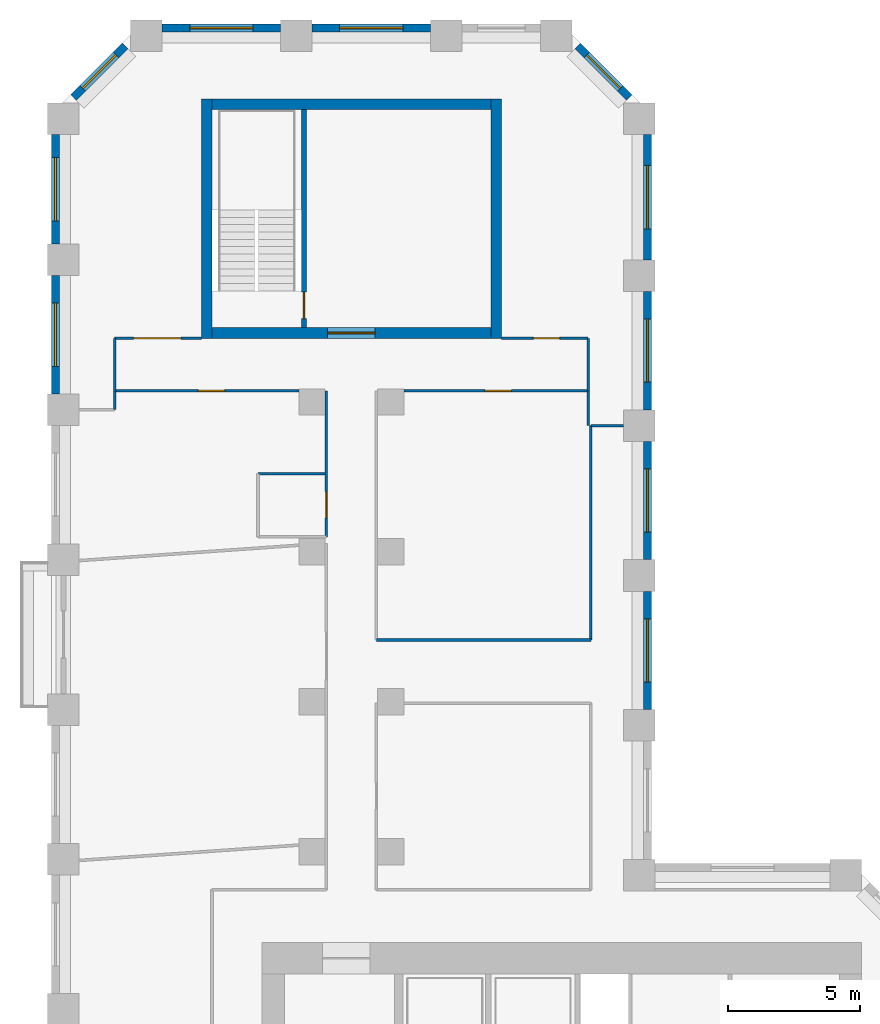
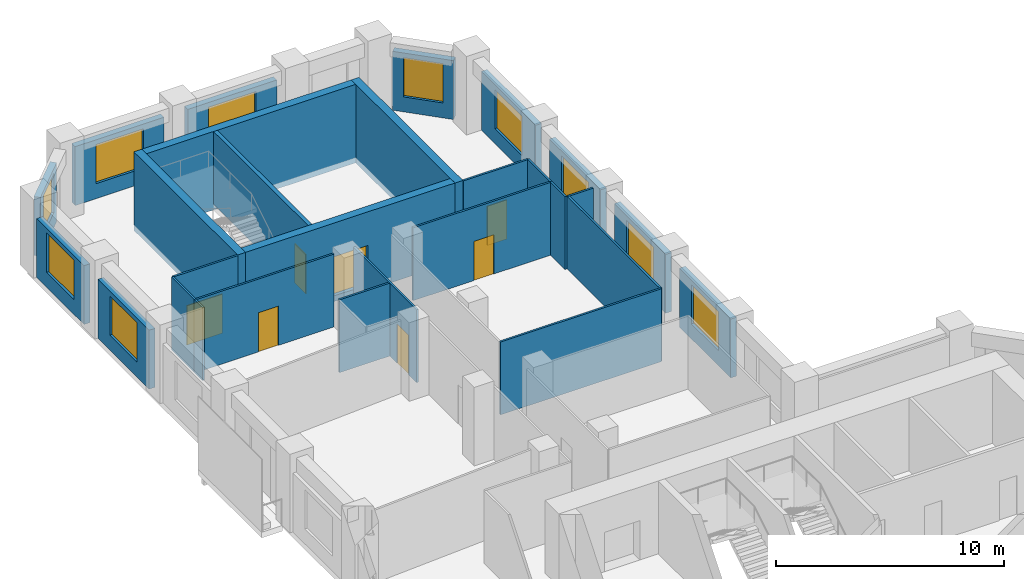
# One storey, part 8 of 10: 28 walls, 10 windows, 7 doors, 17 openings.
"""IFC4 building model written with IfcOpenShell, lengths in metres."""

from ifc_helpers import new_model, si_unit, direction, frame, frame_2d, origin, place, context, subcontext, project, spatial, rectangle, extrude, material, layer, layer_set, type_object, element, fill, save


model = new_model("IFC4")

# Units and contexts
model_context = context("Model", 3, precision=1e-05, world=origin(), true_north=direction((0.0, 1.0)))
body_context = subcontext(model_context, "Body", "Model", "MODEL_VIEW")
ifc_project = project(units=[si_unit("LENGTHUNIT", "METRE"), si_unit("AREAUNIT", "SQUARE_METRE"), si_unit("VOLUMEUNIT", "CUBIC_METRE"), si_unit("PLANEANGLEUNIT", "RADIAN"), si_unit("MASSUNIT", "GRAM", prefix="KILO")], contexts=[model_context])

# Site, building, storey
site_placement = place(None, origin())
site = spatial("IfcSite", under=ifc_project, at=site_placement, CompositionType="ELEMENT")
building_placement = place(site_placement, origin())
building = spatial("IfcBuilding", under=site, at=building_placement, Name="Meshkara Civic Tower", CompositionType="ELEMENT")
storey_placement = place(building_placement, frame((0.0, 0.0, 165.60009765625)))
storey = spatial("IfcBuildingStorey", under=building, at=storey_placement, Name="L37", CompositionType="ELEMENT", Elevation=165.60009765625)

# Wall, opening, door
ifc_material_1 = material(Name="Corridor wall 100")
ifc_layer_1 = layer(ifc_material_1, 0.10009765625)
ifc_layer_set_1 = layer_set([ifc_layer_1], Name="Corridor wall 100")
wall_type_1 = type_object("IfcWallType", Name="Corridor wall 100", PredefinedType="PARTITIONING", material=ifc_layer_set_1)
wall_1_placement = place(storey_placement, frame((2.39990234375, 57.8701171875, 0.0), z_axis=(0.0, 0.0, 1.0), x_axis=(1.0, 0.0, 0.0)))
wall_1 = element("IfcWall", 1, at=wall_1_placement, inside=storey, type_object=wall_type_1, Name="L37-W001", PredefinedType="PARTITIONING", context=body_context, shape_type="SweptSolid", body=[
    extrude(rectangle(XDim=7.0, YDim=0.10009765625, at=frame_2d((3.5, 0.0))), origin(), (0.0, 0.0, 1.0), 3.89990234375),
])
opening_1_placement = place(wall_1_placement, frame((3.179931640625, 0.0, 0.0)))
opening_1 = element("IfcOpeningElement", 2, at=opening_1_placement, cuts=wall_1, Name="Opening L37-D021", PredefinedType="OPENING", context=body_context, shape_type="SweptSolid", body=[
    extrude(rectangle(XDim=1.0, YDim=2.10009765625, at=frame_2d((0.5, 1.050048828125))), frame((0.0, 0.06005859375, 0.0), z_axis=(0.0, -1.0, 0.0), x_axis=(1.0, 0.0, 0.0)), (0.0, 0.0, 1.0), 0.1201171875),
])
ifc_material_2 = material(Name="Door 1000 x 2100")
door_type_1 = type_object("IfcDoorType", Name="Door 1000 x 2100", OperationType="SINGLE_SWING_LEFT", PredefinedType="DOOR", material=ifc_material_2)
door_1_placement = place(opening_1_placement, origin())
door_1 = element("IfcDoor", 3, at=door_1_placement, inside=storey, type_object=door_type_1, Name="L37-D021", OperationType="SINGLE_SWING_LEFT", OverallHeight=2.10009765625, OverallWidth=1.0, PredefinedType="DOOR", context=body_context, shape_type="SweptSolid", body=[
    extrude(rectangle(XDim=1.0, YDim=2.10009765625, at=frame_2d((0.5, 1.050048828125))), frame((0.0, 0.02490234375, 0.0), z_axis=(0.0, -1.0, 0.0), x_axis=(1.0, 0.0, 0.0)), (0.0, 0.0, 1.0), 0.050048828125),
])
fill(opening_1, door_1)

# Wall
wall_2_placement = place(storey_placement, frame((2.39990234375, 59.8701171875, 0.0), z_axis=(0.0, 0.0, 1.0), x_axis=(0.0, -1.0, 0.0)))
element("IfcWall", 4, at=wall_2_placement, inside=storey, type_object=wall_type_1, Name="L37-W002", PredefinedType="PARTITIONING", context=body_context, shape_type="SweptSolid", body=[
    extrude(rectangle(XDim=2.0, YDim=0.10009765625, at=frame_2d((1.0, 0.0))), origin(), (0.0, 0.0, 1.0), 3.89990234375),
])

# Wall, opening, door
wall_3_placement = place(storey_placement, frame((5.699951171875, 59.8701171875, 0.0), z_axis=(0.0, 0.0, 1.0), x_axis=(-1.0, 0.0, 0.0)))
wall_3 = element("IfcWall", 5, at=wall_3_placement, inside=storey, type_object=wall_type_1, Name="L37-W003", PredefinedType="PARTITIONING", context=body_context, shape_type="SweptSolid", body=[
    extrude(rectangle(XDim=3.300048828125, YDim=0.10009765625, at=frame_2d((1.64990234375, 0.0))), origin(), (0.0, 0.0, 1.0), 3.89990234375),
])
opening_2_placement = place(wall_3_placement, frame((0.780029296875, 0.0, 0.0)))
opening_2 = element("IfcOpeningElement", 6, at=opening_2_placement, cuts=wall_3, Name="Opening L37-D020", PredefinedType="OPENING", context=body_context, shape_type="SweptSolid", body=[
    extrude(rectangle(XDim=1.800048828125, YDim=2.10009765625, at=frame_2d((0.89990234375, 1.050048828125))), frame((0.0, 0.06005859375, 0.0), z_axis=(0.0, -1.0, 0.0), x_axis=(1.0, 0.0, 0.0)), (0.0, 0.0, 1.0), 0.1201171875),
])
ifc_material_3 = material(Name="Door pair 1800 x 2100")
door_type_2 = type_object("IfcDoorType", Name="Door pair 1800 x 2100", OperationType="SINGLE_SWING_LEFT", PredefinedType="DOOR", material=ifc_material_3)
door_2_placement = place(opening_2_placement, origin())
door_2 = element("IfcDoor", 7, at=door_2_placement, inside=storey, type_object=door_type_2, Name="L37-D020", OperationType="DOUBLE_DOOR_SINGLE_SWING", OverallHeight=2.10009765625, OverallWidth=1.800048828125, PredefinedType="DOOR", context=body_context, shape_type="SweptSolid", body=[
    extrude(rectangle(XDim=1.800048828125, YDim=2.10009765625, at=frame_2d((0.89990234375, 1.050048828125))), frame((0.0, 0.02490234375, 0.0), z_axis=(0.0, -1.0, 0.0), x_axis=(1.0, 0.0, 0.0)), (0.0, 0.0, 1.0), 0.050048828125),
])
fill(opening_2, door_2)

wall_4_placement = place(storey_placement, frame((10.449951171875, 57.8701171875, 0.0), z_axis=(0.0, 0.0, 1.0), x_axis=(0.0, -1.0, 0.0)))
wall_4 = element("IfcWall", 8, at=wall_4_placement, inside=storey, type_object=wall_type_1, Name="L37-W013", PredefinedType="PARTITIONING", context=body_context, shape_type="SweptSolid", body=[
    extrude(rectangle(XDim=5.550048828125, YDim=0.10009765625, at=frame_2d((2.77490234375, 0.0))), origin(), (0.0, 0.0, 1.0), 3.89990234375),
])
opening_3_placement = place(wall_4_placement, frame((3.830078125, 0.0, 0.0)))
opening_3 = element("IfcOpeningElement", 9, at=opening_3_placement, cuts=wall_4, Name="Opening L37-D019", PredefinedType="OPENING", context=body_context, shape_type="SweptSolid", body=[
    extrude(rectangle(XDim=1.0, YDim=2.10009765625, at=frame_2d((0.5, 1.050048828125))), frame((0.0, 0.06005859375, 0.0), z_axis=(0.0, -1.0, 0.0), x_axis=(1.0, 0.0, 0.0)), (0.0, 0.0, 1.0), 0.1201171875),
])
door_3_placement = place(opening_3_placement, origin())
door_3 = element("IfcDoor", 10, at=door_3_placement, inside=storey, type_object=door_type_1, Name="L37-D019", OperationType="SINGLE_SWING_RIGHT", OverallHeight=2.10009765625, OverallWidth=1.0, PredefinedType="DOOR", context=body_context, shape_type="SweptSolid", body=[
    extrude(rectangle(XDim=1.0, YDim=2.10009765625, at=frame_2d((0.5, 1.050048828125))), frame((0.0, 0.02490234375, 0.0), z_axis=(0.0, -1.0, 0.0), x_axis=(1.0, 0.0, 0.0)), (0.0, 0.0, 1.0), 0.050048828125),
])
fill(opening_3, door_3)

wall_5_placement = place(storey_placement, frame((13.39990234375, 57.8701171875, 0.0), z_axis=(0.0, 0.0, 1.0), x_axis=(1.0, 0.0, 0.0)))
wall_5 = element("IfcWall", 11, at=wall_5_placement, inside=storey, type_object=wall_type_1, Name="L37-W018", PredefinedType="PARTITIONING", context=body_context, shape_type="SweptSolid", body=[
    extrude(rectangle(XDim=7.0, YDim=0.10009765625, at=frame_2d((3.5, 0.0))), origin(), (0.0, 0.0, 1.0), 3.89990234375),
])
opening_4_placement = place(wall_5_placement, frame((3.080078125, 0.0, 0.0)))
opening_4 = element("IfcOpeningElement", 12, at=opening_4_placement, cuts=wall_5, Name="Opening L37-D022", PredefinedType="OPENING", context=body_context, shape_type="SweptSolid", body=[
    extrude(rectangle(XDim=1.0, YDim=2.10009765625, at=frame_2d((0.5, 1.050048828125))), frame((0.0, 0.06005859375, 0.0), z_axis=(0.0, -1.0, 0.0), x_axis=(1.0, 0.0, 0.0)), (0.0, 0.0, 1.0), 0.1201171875),
])
door_4_placement = place(opening_4_placement, origin())
door_4 = element("IfcDoor", 13, at=door_4_placement, inside=storey, type_object=door_type_1, Name="L37-D022", OperationType="SINGLE_SWING_LEFT", OverallHeight=2.10009765625, OverallWidth=1.0, PredefinedType="DOOR", context=body_context, shape_type="SweptSolid", body=[
    extrude(rectangle(XDim=1.0, YDim=2.10009765625, at=frame_2d((0.5, 1.050048828125))), frame((0.0, 0.02490234375, 0.0), z_axis=(0.0, -1.0, 0.0), x_axis=(1.0, 0.0, 0.0)), (0.0, 0.0, 1.0), 0.050048828125),
])
fill(opening_4, door_4)

# Wall
wall_6_placement = place(storey_placement, frame((20.39990234375, 57.8701171875, 0.0), z_axis=(0.0, 0.0, 1.0), x_axis=(0.0, 1.0, 0.0)))
element("IfcWall", 14, at=wall_6_placement, inside=storey, type_object=wall_type_1, Name="L37-W019", PredefinedType="PARTITIONING", context=body_context, shape_type="SweptSolid", body=[
    extrude(rectangle(XDim=2.0, YDim=0.10009765625, at=frame_2d((1.0, 0.0))), origin(), (0.0, 0.0, 1.0), 3.89990234375),
])

# Wall, opening, door
wall_7_placement = place(storey_placement, frame((20.39990234375, 59.8701171875, 0.0), z_axis=(0.0, 0.0, 1.0), x_axis=(-1.0, 0.0, 0.0)))
wall_7 = element("IfcWall", 15, at=wall_7_placement, inside=storey, type_object=wall_type_1, Name="L37-W020", PredefinedType="PARTITIONING", context=body_context, shape_type="SweptSolid", body=[
    extrude(rectangle(XDim=3.2998046875, YDim=0.10009765625, at=frame_2d((1.64990234375, 0.0))), origin(), (0.0, 0.0, 1.0), 3.89990234375),
])
opening_5_placement = place(wall_7_placement, frame((1.080078125, 0.0, 0.0)))
opening_5 = element("IfcOpeningElement", 16, at=opening_5_placement, cuts=wall_7, Name="Opening L37-D023", PredefinedType="OPENING", context=body_context, shape_type="SweptSolid", body=[
    extrude(rectangle(XDim=1.0, YDim=2.10009765625, at=frame_2d((0.5, 1.050048828125))), frame((0.0, 0.06005859375, 0.0), z_axis=(0.0, -1.0, 0.0), x_axis=(1.0, 0.0, 0.0)), (0.0, 0.0, 1.0), 0.1201171875),
])
door_5_placement = place(opening_5_placement, origin())
door_5 = element("IfcDoor", 17, at=door_5_placement, inside=storey, type_object=door_type_1, Name="L37-D023", OperationType="SINGLE_SWING_RIGHT", OverallHeight=2.10009765625, OverallWidth=1.0, PredefinedType="DOOR", context=body_context, shape_type="SweptSolid", body=[
    extrude(rectangle(XDim=1.0, YDim=2.10009765625, at=frame_2d((0.5, 1.050048828125))), frame((0.0, 0.02490234375, 0.0), z_axis=(0.0, -1.0, 0.0), x_axis=(1.0, 0.0, 0.0)), (0.0, 0.0, 1.0), 0.050048828125),
])
fill(opening_5, door_5)

# Walls
wall_8_placement = place(storey_placement, frame((20.5, 48.39990234375, 0.0), z_axis=(0.0, 0.0, 1.0), x_axis=(-1.0, 0.0, 0.0)))
element("IfcWall", 18, at=wall_8_placement, inside=storey, type_object=wall_type_1, Name="L37-W023", PredefinedType="PARTITIONING", context=body_context, shape_type="SweptSolid", body=[
    extrude(rectangle(XDim=8.14990234375, YDim=0.10009765625, at=frame_2d((4.074951171875, 0.0))), origin(), (0.0, 0.0, 1.0), 3.89990234375),
])
wall_9_placement = place(storey_placement, frame((20.5, 56.550048828125, 0.0), z_axis=(0.0, 0.0, 1.0), x_axis=(0.0, -1.0, 0.0)))
element("IfcWall", 19, at=wall_9_placement, inside=storey, type_object=wall_type_1, Name="L37-W024", PredefinedType="PARTITIONING", context=body_context, shape_type="SweptSolid", body=[
    extrude(rectangle(XDim=8.150146484375, YDim=0.10009765625, at=frame_2d((4.0751953125, 0.0))), origin(), (0.0, 0.0, 1.0), 3.89990234375),
])
wall_10_placement = place(storey_placement, frame((21.75, 56.550048828125, 0.0), z_axis=(0.0, 0.0, 1.0), x_axis=(-1.0, 0.0, 0.0)))
element("IfcWall", 20, at=wall_10_placement, inside=storey, type_object=wall_type_1, Name="L37-W025", PredefinedType="PARTITIONING", context=body_context, shape_type="SweptSolid", body=[
    extrude(rectangle(XDim=1.25, YDim=0.10009765625, at=frame_2d((0.625, 0.0))), origin(), (0.0, 0.0, 1.0), 3.89990234375),
])

# Wall, opening, window
ifc_material_4 = material(Name="Insulated infill panel with bronze anodised aluminium cladding", Category="aluminium")
ifc_layer_2 = layer(ifc_material_4, 0.300048828125)
ifc_layer_set_2 = layer_set([ifc_layer_2], Name="EXTERNAL INFILL WALL 300")
wall_type_2 = type_object("IfcWallType", Name="EXTERNAL INFILL WALL 300", PredefinedType="SOLIDWALL", material=ifc_layer_set_2)
wall_11_placement = place(storey_placement, frame((22.64990234375, 45.75, 0.0), z_axis=(0.0, 0.0, 1.0), x_axis=(0.0, 1.0, 0.0)))
wall_11 = element("IfcWall", 21, at=wall_11_placement, inside=storey, type_object=wall_type_2, Name="External wall", PredefinedType="SOLIDWALL", context=body_context, shape_type="SweptSolid", body=[
    extrude(rectangle(XDim=4.5, YDim=0.300048828125, at=frame_2d((2.25, 0.0))), origin(), (0.0, 0.0, 1.0), 3.14990234375),
])
opening_6_placement = place(wall_11_placement, frame((1.050048828125, 0.0, 0.800048828125)))
opening_6 = element("IfcOpeningElement", 22, at=opening_6_placement, cuts=wall_11, Name="Opening W7", PredefinedType="OPENING", context=body_context, shape_type="SweptSolid", body=[
    extrude(rectangle(XDim=2.39990234375, YDim=2.10009765625, at=frame_2d((1.199951171875, 1.050048828125))), frame((0.0, 0.159912109375, 0.0), z_axis=(0.0, -1.0, 0.0), x_axis=(1.0, 0.0, 0.0)), (0.0, 0.0, 1.0), 0.320068359375),
])
ifc_material_5 = material(Name="Tinted double glazing", Category="glass")
window_type_1 = type_object("IfcWindowType", Name="WINDOW 2400x2100", PartitioningType="DOUBLE_PANEL_VERTICAL", PredefinedType="WINDOW", material=ifc_material_5)
window_1_placement = place(opening_6_placement, origin())
window_1 = element("IfcWindow", 23, at=window_1_placement, inside=storey, type_object=window_type_1, Name="Window", OverallHeight=2.10009765625, OverallWidth=2.39990234375, PartitioningType="DOUBLE_PANEL_VERTICAL", PredefinedType="WINDOW", context=body_context, shape_type="SweptSolid", body=[
    extrude(rectangle(XDim=2.39990234375, YDim=2.10009765625, at=frame_2d((1.199951171875, 1.050048828125))), frame((0.0, 0.030029296875, 0.0), z_axis=(0.0, -1.0, 0.0), x_axis=(1.0, 0.0, 0.0)), (0.0, 0.0, 1.0), 0.06005859375),
])
fill(opening_6, window_1)

wall_12_placement = place(storey_placement, frame((22.64990234375, 51.449951171875, 0.0), z_axis=(0.0, 0.0, 1.0), x_axis=(0.0, 1.0, 0.0)))
wall_12 = element("IfcWall", 24, at=wall_12_placement, inside=storey, type_object=wall_type_2, Name="External wall", PredefinedType="SOLIDWALL", context=body_context, shape_type="SweptSolid", body=[
    extrude(rectangle(XDim=4.5, YDim=0.300048828125, at=frame_2d((2.25, 0.0))), origin(), (0.0, 0.0, 1.0), 3.14990234375),
])
opening_7_placement = place(wall_12_placement, frame((1.050048828125, 0.0, 0.800048828125)))
opening_7 = element("IfcOpeningElement", 25, at=opening_7_placement, cuts=wall_12, Name="Opening W7", PredefinedType="OPENING", context=body_context, shape_type="SweptSolid", body=[
    extrude(rectangle(XDim=2.39990234375, YDim=2.10009765625, at=frame_2d((1.199951171875, 1.050048828125))), frame((0.0, 0.159912109375, 0.0), z_axis=(0.0, -1.0, 0.0), x_axis=(1.0, 0.0, 0.0)), (0.0, 0.0, 1.0), 0.320068359375),
])
window_2_placement = place(opening_7_placement, origin())
window_2 = element("IfcWindow", 26, at=window_2_placement, inside=storey, type_object=window_type_1, Name="Window", OverallHeight=2.10009765625, OverallWidth=2.39990234375, PartitioningType="DOUBLE_PANEL_VERTICAL", PredefinedType="WINDOW", context=body_context, shape_type="SweptSolid", body=[
    extrude(rectangle(XDim=2.39990234375, YDim=2.10009765625, at=frame_2d((1.199951171875, 1.050048828125))), frame((0.0, 0.030029296875, 0.0), z_axis=(0.0, -1.0, 0.0), x_axis=(1.0, 0.0, 0.0)), (0.0, 0.0, 1.0), 0.06005859375),
])
fill(opening_7, window_2)

wall_13_placement = place(storey_placement, frame((22.64990234375, 57.14990234375, 0.0), z_axis=(0.0, 0.0, 1.0), x_axis=(0.0, 1.0, 0.0)))
wall_13 = element("IfcWall", 27, at=wall_13_placement, inside=storey, type_object=wall_type_2, Name="External wall", PredefinedType="SOLIDWALL", context=body_context, shape_type="SweptSolid", body=[
    extrude(rectangle(XDim=4.5, YDim=0.300048828125, at=frame_2d((2.25, 0.0))), origin(), (0.0, 0.0, 1.0), 3.14990234375),
])
opening_8_placement = place(wall_13_placement, frame((1.050048828125, 0.0, 0.800048828125)))
opening_8 = element("IfcOpeningElement", 28, at=opening_8_placement, cuts=wall_13, Name="Opening W7", PredefinedType="OPENING", context=body_context, shape_type="SweptSolid", body=[
    extrude(rectangle(XDim=2.39990234375, YDim=2.10009765625, at=frame_2d((1.199951171875, 1.050048828125))), frame((0.0, 0.159912109375, 0.0), z_axis=(0.0, -1.0, 0.0), x_axis=(1.0, 0.0, 0.0)), (0.0, 0.0, 1.0), 0.320068359375),
])
window_3_placement = place(opening_8_placement, origin())
window_3 = element("IfcWindow", 29, at=window_3_placement, inside=storey, type_object=window_type_1, Name="Window", OverallHeight=2.10009765625, OverallWidth=2.39990234375, PartitioningType="DOUBLE_PANEL_VERTICAL", PredefinedType="WINDOW", context=body_context, shape_type="SweptSolid", body=[
    extrude(rectangle(XDim=2.39990234375, YDim=2.10009765625, at=frame_2d((1.199951171875, 1.050048828125))), frame((0.0, 0.030029296875, 0.0), z_axis=(0.0, -1.0, 0.0), x_axis=(1.0, 0.0, 0.0)), (0.0, 0.0, 1.0), 0.06005859375),
])
fill(opening_8, window_3)

wall_14_placement = place(storey_placement, frame((22.64990234375, 62.85009765625, 0.0), z_axis=(0.0, 0.0, 1.0), x_axis=(0.0, 1.0, 0.0)))
wall_14 = element("IfcWall", 30, at=wall_14_placement, inside=storey, type_object=wall_type_2, Name="External wall", PredefinedType="SOLIDWALL", context=body_context, shape_type="SweptSolid", body=[
    extrude(rectangle(XDim=4.763916015625, YDim=0.300048828125, at=frame_2d((2.3818359375, 0.0))), origin(), (0.0, 0.0, 1.0), 3.14990234375),
])
opening_9_placement = place(wall_14_placement, frame((1.181884765625, 0.0, 0.800048828125)))
opening_9 = element("IfcOpeningElement", 31, at=opening_9_placement, cuts=wall_14, Name="Opening W7", PredefinedType="OPENING", context=body_context, shape_type="SweptSolid", body=[
    extrude(rectangle(XDim=2.39990234375, YDim=2.10009765625, at=frame_2d((1.199951171875, 1.050048828125))), frame((0.0, 0.159912109375, 0.0), z_axis=(0.0, -1.0, 0.0), x_axis=(1.0, 0.0, 0.0)), (0.0, 0.0, 1.0), 0.320068359375),
])
window_4_placement = place(opening_9_placement, origin())
window_4 = element("IfcWindow", 32, at=window_4_placement, inside=storey, type_object=window_type_1, Name="Window", OverallHeight=2.10009765625, OverallWidth=2.39990234375, PartitioningType="DOUBLE_PANEL_VERTICAL", PredefinedType="WINDOW", context=body_context, shape_type="SweptSolid", body=[
    extrude(rectangle(XDim=2.39990234375, YDim=2.10009765625, at=frame_2d((1.199951171875, 1.050048828125))), frame((0.0, 0.030029296875, 0.0), z_axis=(0.0, -1.0, 0.0), x_axis=(1.0, 0.0, 0.0)), (0.0, 0.0, 1.0), 0.06005859375),
])
fill(opening_9, window_4)

wall_15_placement = place(storey_placement, frame((21.9619140625, 69.02587890625, 0.0), z_axis=(0.0, 0.0, 1.0), x_axis=(-0.707062649074, 0.707150910545, 0.0)))
wall_15 = element("IfcWall", 33, at=wall_15_placement, inside=storey, type_object=wall_type_2, Name="External wall", PredefinedType="SOLIDWALL", context=body_context, shape_type="SweptSolid", body=[
    extrude(rectangle(XDim=2.76611328125, YDim=0.300048828125, at=frame_2d((1.383056640625, 0.0))), origin(), (0.0, 0.0, 1.0), 3.14990234375),
])
opening_10_placement = place(wall_15_placement, frame((0.48291015625, 0.0, 0.800048828125)))
opening_10 = element("IfcOpeningElement", 34, at=opening_10_placement, cuts=wall_15, Name="Opening W9", PredefinedType="OPENING", context=body_context, shape_type="SweptSolid", body=[
    extrude(rectangle(XDim=1.800048828125, YDim=2.10009765625, at=frame_2d((0.89990234375, 1.050048828125))), frame((0.0, 0.159912109375, 0.0), z_axis=(0.0, -1.0, 0.0), x_axis=(1.0, 0.0, 0.0)), (0.0, 0.0, 1.0), 0.320068359375),
])
ifc_material_6 = material(Name="Tinted double glazing", Category="glass")
window_type_2 = type_object("IfcWindowType", Name="WINDOW 1800x2100", PartitioningType="DOUBLE_PANEL_VERTICAL", PredefinedType="WINDOW", material=ifc_material_6)
window_5_placement = place(opening_10_placement, origin())
window_5 = element("IfcWindow", 35, at=window_5_placement, inside=storey, type_object=window_type_2, Name="Window", OverallHeight=2.10009765625, OverallWidth=1.800048828125, PartitioningType="DOUBLE_PANEL_VERTICAL", PredefinedType="WINDOW", context=body_context, shape_type="SweptSolid", body=[
    extrude(rectangle(XDim=1.800048828125, YDim=2.10009765625, at=frame_2d((0.89990234375, 1.050048828125))), frame((0.0, 0.030029296875, 0.0), z_axis=(0.0, -1.0, 0.0), x_axis=(1.0, 0.0, 0.0)), (0.0, 0.0, 1.0), 0.06005859375),
])
fill(opening_10, window_5)

wall_16_placement = place(storey_placement, frame((14.406005859375, 71.669921875, 0.0), z_axis=(0.0, 0.0, 1.0), x_axis=(-1.0, 0.0, 0.0)))
wall_16 = element("IfcWall", 36, at=wall_16_placement, inside=storey, type_object=wall_type_2, Name="External wall", PredefinedType="SOLIDWALL", context=body_context, shape_type="SweptSolid", body=[
    extrude(rectangle(XDim=4.5, YDim=0.300048828125, at=frame_2d((2.25, 0.0))), origin(), (0.0, 0.0, 1.0), 3.14990234375),
])
opening_11_placement = place(wall_16_placement, frame((1.050048828125, 0.0, 0.800048828125)))
opening_11 = element("IfcOpeningElement", 37, at=opening_11_placement, cuts=wall_16, Name="Opening W7", PredefinedType="OPENING", context=body_context, shape_type="SweptSolid", body=[
    extrude(rectangle(XDim=2.39990234375, YDim=2.10009765625, at=frame_2d((1.199951171875, 1.050048828125))), frame((0.0, 0.159912109375, 0.0), z_axis=(0.0, -1.0, 0.0), x_axis=(1.0, 0.0, 0.0)), (0.0, 0.0, 1.0), 0.320068359375),
])
window_6_placement = place(opening_11_placement, origin())
window_6 = element("IfcWindow", 38, at=window_6_placement, inside=storey, type_object=window_type_1, Name="Window", OverallHeight=2.10009765625, OverallWidth=2.39990234375, PartitioningType="DOUBLE_PANEL_VERTICAL", PredefinedType="WINDOW", context=body_context, shape_type="SweptSolid", body=[
    extrude(rectangle(XDim=2.39990234375, YDim=2.10009765625, at=frame_2d((1.199951171875, 1.050048828125))), frame((0.0, 0.030029296875, 0.0), z_axis=(0.0, -1.0, 0.0), x_axis=(1.0, 0.0, 0.0)), (0.0, 0.0, 1.0), 0.06005859375),
])
fill(opening_11, window_6)

wall_17_placement = place(storey_placement, frame((8.7060546875, 71.669921875, 0.0), z_axis=(0.0, 0.0, 1.0), x_axis=(-1.0, 0.0, 0.0)))
wall_17 = element("IfcWall", 39, at=wall_17_placement, inside=storey, type_object=wall_type_2, Name="External wall", PredefinedType="SOLIDWALL", context=body_context, shape_type="SweptSolid", body=[
    extrude(rectangle(XDim=4.5, YDim=0.300048828125, at=frame_2d((2.25, 0.0))), origin(), (0.0, 0.0, 1.0), 3.14990234375),
])
opening_12_placement = place(wall_17_placement, frame((1.050048828125, 0.0, 0.800048828125)))
opening_12 = element("IfcOpeningElement", 40, at=opening_12_placement, cuts=wall_17, Name="Opening W7", PredefinedType="OPENING", context=body_context, shape_type="SweptSolid", body=[
    extrude(rectangle(XDim=2.39990234375, YDim=2.10009765625, at=frame_2d((1.199951171875, 1.050048828125))), frame((0.0, 0.159912109375, 0.0), z_axis=(0.0, -1.0, 0.0), x_axis=(1.0, 0.0, 0.0)), (0.0, 0.0, 1.0), 0.320068359375),
])
window_7_placement = place(opening_12_placement, origin())
window_7 = element("IfcWindow", 41, at=window_7_placement, inside=storey, type_object=window_type_1, Name="Window", OverallHeight=2.10009765625, OverallWidth=2.39990234375, PartitioningType="DOUBLE_PANEL_VERTICAL", PredefinedType="WINDOW", context=body_context, shape_type="SweptSolid", body=[
    extrude(rectangle(XDim=2.39990234375, YDim=2.10009765625, at=frame_2d((1.199951171875, 1.050048828125))), frame((0.0, 0.030029296875, 0.0), z_axis=(0.0, -1.0, 0.0), x_axis=(1.0, 0.0, 0.0)), (0.0, 0.0, 1.0), 0.06005859375),
])
fill(opening_12, window_7)

wall_18_placement = place(storey_placement, frame((2.7939453125, 70.98193359375, 0.0), z_axis=(0.0, 0.0, 1.0), x_axis=(-0.707106781187, -0.707106781187, 0.0)))
wall_18 = element("IfcWall", 42, at=wall_18_placement, inside=storey, type_object=wall_type_2, Name="External wall", PredefinedType="SOLIDWALL", context=body_context, shape_type="SweptSolid", body=[
    extrude(rectangle(XDim=2.766357421875, YDim=0.300048828125, at=frame_2d((1.38330078125, 0.0))), origin(), (0.0, 0.0, 1.0), 3.14990234375),
])
opening_13_placement = place(wall_18_placement, frame((0.48291015625, 0.0, 0.800048828125)))
opening_13 = element("IfcOpeningElement", 43, at=opening_13_placement, cuts=wall_18, Name="Opening W9", PredefinedType="OPENING", context=body_context, shape_type="SweptSolid", body=[
    extrude(rectangle(XDim=1.800048828125, YDim=2.10009765625, at=frame_2d((0.89990234375, 1.050048828125))), frame((0.0, 0.159912109375, 0.0), z_axis=(0.0, -1.0, 0.0), x_axis=(1.0, 0.0, 0.0)), (0.0, 0.0, 1.0), 0.320068359375),
])
window_8_placement = place(opening_13_placement, origin())
window_8 = element("IfcWindow", 44, at=window_8_placement, inside=storey, type_object=window_type_2, Name="Window", OverallHeight=2.10009765625, OverallWidth=1.800048828125, PartitioningType="DOUBLE_PANEL_VERTICAL", PredefinedType="WINDOW", context=body_context, shape_type="SweptSolid", body=[
    extrude(rectangle(XDim=1.800048828125, YDim=2.10009765625, at=frame_2d((0.89990234375, 1.050048828125))), frame((0.0, 0.030029296875, 0.0), z_axis=(0.0, -1.0, 0.0), x_axis=(1.0, 0.0, 0.0)), (0.0, 0.0, 1.0), 0.06005859375),
])
fill(opening_13, window_8)

wall_19_placement = place(storey_placement, frame((0.14990234375, 67.614013671875, 0.0), z_axis=(0.0, 0.0, 1.0), x_axis=(0.0, -1.0, 0.0)))
wall_19 = element("IfcWall", 45, at=wall_19_placement, inside=storey, type_object=wall_type_2, Name="External wall", PredefinedType="SOLIDWALL", context=body_context, shape_type="SweptSolid", body=[
    extrude(rectangle(XDim=4.158935546875, YDim=0.300048828125, at=frame_2d((2.07958984375, 0.0))), origin(), (0.0, 0.0, 1.0), 3.14990234375),
])
opening_14_placement = place(wall_19_placement, frame((0.8798828125, 0.0, 0.800048828125)))
opening_14 = element("IfcOpeningElement", 46, at=opening_14_placement, cuts=wall_19, Name="Opening W7", PredefinedType="OPENING", context=body_context, shape_type="SweptSolid", body=[
    extrude(rectangle(XDim=2.39990234375, YDim=2.10009765625, at=frame_2d((1.199951171875, 1.050048828125))), frame((0.0, 0.159912109375, 0.0), z_axis=(0.0, -1.0, 0.0), x_axis=(1.0, 0.0, 0.0)), (0.0, 0.0, 1.0), 0.320068359375),
])
window_9_placement = place(opening_14_placement, origin())
window_9 = element("IfcWindow", 47, at=window_9_placement, inside=storey, type_object=window_type_1, Name="Window", OverallHeight=2.10009765625, OverallWidth=2.39990234375, PartitioningType="DOUBLE_PANEL_VERTICAL", PredefinedType="WINDOW", context=body_context, shape_type="SweptSolid", body=[
    extrude(rectangle(XDim=2.39990234375, YDim=2.10009765625, at=frame_2d((1.199951171875, 1.050048828125))), frame((0.0, 0.030029296875, 0.0), z_axis=(0.0, -1.0, 0.0), x_axis=(1.0, 0.0, 0.0)), (0.0, 0.0, 1.0), 0.06005859375),
])
fill(opening_14, window_9)

wall_20_placement = place(storey_placement, frame((0.14990234375, 62.2548828125, 0.0), z_axis=(0.0, 0.0, 1.0), x_axis=(0.0, -1.0, 0.0)))
wall_20 = element("IfcWall", 48, at=wall_20_placement, inside=storey, type_object=wall_type_2, Name="External wall", PredefinedType="SOLIDWALL", context=body_context, shape_type="SweptSolid", body=[
    extrude(rectangle(XDim=4.5, YDim=0.300048828125, at=frame_2d((2.25, 0.0))), origin(), (0.0, 0.0, 1.0), 3.14990234375),
])
opening_15_placement = place(wall_20_placement, frame((1.050048828125, 0.0, 0.800048828125)))
opening_15 = element("IfcOpeningElement", 49, at=opening_15_placement, cuts=wall_20, Name="Opening W7", PredefinedType="OPENING", context=body_context, shape_type="SweptSolid", body=[
    extrude(rectangle(XDim=2.39990234375, YDim=2.10009765625, at=frame_2d((1.199951171875, 1.050048828125))), frame((0.0, 0.159912109375, 0.0), z_axis=(0.0, -1.0, 0.0), x_axis=(1.0, 0.0, 0.0)), (0.0, 0.0, 1.0), 0.320068359375),
])
window_10_placement = place(opening_15_placement, origin())
window_10 = element("IfcWindow", 50, at=window_10_placement, inside=storey, type_object=window_type_1, Name="Window", OverallHeight=2.10009765625, OverallWidth=2.39990234375, PartitioningType="DOUBLE_PANEL_VERTICAL", PredefinedType="WINDOW", context=body_context, shape_type="SweptSolid", body=[
    extrude(rectangle(XDim=2.39990234375, YDim=2.10009765625, at=frame_2d((1.199951171875, 1.050048828125))), frame((0.0, 0.030029296875, 0.0), z_axis=(0.0, -1.0, 0.0), x_axis=(1.0, 0.0, 0.0)), (0.0, 0.0, 1.0), 0.06005859375),
])
fill(opening_15, window_10)

# Walls
ifc_material_7 = material(Name="Concrete C70", Category="concrete")
ifc_layer_3 = layer(ifc_material_7, 0.39990234375)
ifc_layer_set_3 = layer_set([ifc_layer_3], Name="End core ring wall 400 C70")
wall_type_3 = type_object("IfcWallType", Name="End core ring wall 400 C70", PredefinedType="SHEAR", material=ifc_layer_set_3)
for number, where, z_axis, x_axis, name in (
    (51, (5.89990234375, 59.8701171875, -0.300048828125), (0.0, 0.0, 1.0), (0.0, 1.0, 0.0), "L37-C022"),
    (52, (16.89990234375, 59.8701171875, -0.300048828125), (0.0, 0.0, 1.0), (0.0, 1.0, 0.0), "L37-C023"),
):
    element("IfcWall", number, at=place(storey_placement, frame(where, z_axis=z_axis, x_axis=x_axis)), inside=storey, type_object=wall_type_3, Name=name, PredefinedType="SHEAR", context=body_context, shape_type="SweptSolid", body=[
        extrude(rectangle(XDim=9.099853515625, YDim=0.39990234375, at=frame_2d((4.5498046875, 0.0))), origin(), (0.0, 0.0, 1.0), 4.199951171875),
    ])

# Wall, opening, door
wall_21_placement = place(storey_placement, frame((6.10009765625, 60.070068359375, -0.300048828125), z_axis=(0.0, 0.0, 1.0), x_axis=(1.0, 0.0, 0.0)))
wall_21 = element("IfcWall", 53, at=wall_21_placement, inside=storey, type_object=wall_type_3, Name="L37-C024", PredefinedType="SHEAR", context=body_context, shape_type="SweptSolid", body=[
    extrude(rectangle(XDim=10.599853515625, YDim=0.39990234375, at=frame_2d((5.2998046875, 0.0))), origin(), (0.0, 0.0, 1.0), 4.199951171875),
])
opening_16_placement = place(wall_21_placement, frame((4.39990234375, 0.0, 0.300048828125)))
opening_16 = element("IfcOpeningElement", 54, at=opening_16_placement, cuts=wall_21, Name="Opening L37-K102", PredefinedType="OPENING", context=body_context, shape_type="SweptSolid", body=[
    extrude(rectangle(XDim=1.800048828125, YDim=2.10009765625, at=frame_2d((0.89990234375, 1.050048828125))), frame((0.0, 0.2099609375, 0.0), z_axis=(0.0, -1.0, 0.0), x_axis=(1.0, 0.0, 0.0)), (0.0, 0.0, 1.0), 0.419921875),
])
ifc_material_8 = material(Name="Fire-rated door leaf in steel frame", Category="steel")
door_type_3 = type_object("IfcDoorType", Name="Core double door 1800 EI 60", OperationType="DOUBLE_DOOR_SINGLE_SWING", PredefinedType="DOOR", material=ifc_material_8)
door_6_placement = place(opening_16_placement, origin())
door_6 = element("IfcDoor", 55, at=door_6_placement, inside=storey, type_object=door_type_3, Name="L37-K102", OperationType="DOUBLE_DOOR_SINGLE_SWING", OverallHeight=2.10009765625, OverallWidth=1.800048828125, PredefinedType="DOOR", context=body_context, shape_type="SweptSolid", body=[
    extrude(rectangle(XDim=1.800048828125, YDim=2.10009765625, at=frame_2d((0.89990234375, 1.050048828125))), frame((0.0, 0.02490234375, 0.0), z_axis=(0.0, -1.0, 0.0), x_axis=(1.0, 0.0, 0.0)), (0.0, 0.0, 1.0), 0.050048828125),
])
fill(opening_16, door_6)

# Walls
wall_22_placement = place(storey_placement, frame((6.10009765625, 68.77001953125, -0.300048828125), z_axis=(0.0, 0.0, 1.0), x_axis=(1.0, 0.0, 0.0)))
element("IfcWall", 56, at=wall_22_placement, inside=storey, type_object=wall_type_3, Name="L37-C025", PredefinedType="SHEAR", context=body_context, shape_type="SweptSolid", body=[
    extrude(rectangle(XDim=10.599853515625, YDim=0.39990234375, at=frame_2d((5.2998046875, 0.0))), origin(), (0.0, 0.0, 1.0), 4.199951171875),
])
ifc_material_9 = material(Name="Partition 100")
ifc_layer_4 = layer(ifc_material_9, 0.10009765625)
ifc_layer_set_4 = layer_set([ifc_layer_4], Name="Partition 100")
wall_type_4 = type_object("IfcWallType", Name="Partition 100", PredefinedType="PARTITIONING", material=ifc_layer_set_4)
wall_23_placement = place(storey_placement, frame((2.39990234375, 57.8740234375, 0.0), z_axis=(0.0, 0.0, 1.0), x_axis=(0.0, -1.0, 0.0)))
element("IfcWall", 57, at=wall_23_placement, inside=storey, type_object=wall_type_4, Name="L37-W040", PredefinedType="PARTITIONING", context=body_context, shape_type="SweptSolid", body=[
    extrude(rectangle(XDim=0.718994140625, YDim=0.10009765625, at=frame_2d((0.359375, 0.0))), origin(), (0.0, 0.0, 1.0), 3.89990234375),
])
wall_24_placement = place(storey_placement, frame((7.85009765625, 54.719970703125, 0.0), z_axis=(0.0, 0.0, 1.0), x_axis=(1.0, 0.0, 0.0)))
element("IfcWall", 58, at=wall_24_placement, inside=storey, type_object=wall_type_4, Name="L37-W044", PredefinedType="PARTITIONING", context=body_context, shape_type="SweptSolid", body=[
    extrude(rectangle(XDim=2.5498046875, YDim=0.10009765625, at=frame_2d((1.27490234375, 0.0))), origin(), (0.0, 0.0, 1.0), 3.89990234375),
])
wall_25_placement = place(storey_placement, frame((20.39990234375, 56.550048828125, 0.0), z_axis=(0.0, 0.0, 1.0), x_axis=(0.0, 1.0, 0.0)))
element("IfcWall", 59, at=wall_25_placement, inside=storey, type_object=wall_type_4, Name="L37-W051", PredefinedType="PARTITIONING", context=body_context, shape_type="SweptSolid", body=[
    extrude(rectangle(XDim=1.323974609375, YDim=0.10009765625, at=frame_2d((0.662109375, 0.0))), origin(), (0.0, 0.0, 1.0), 3.89990234375),
])

# Wall, opening, door
ifc_material_10 = material(Name="Concrete C40/50", Category="concrete")
ifc_layer_5 = layer(ifc_material_10, 0.199951171875)
ifc_layer_set_5 = layer_set([ifc_layer_5], Name="Stair enclosure wall 200 C40/50")
wall_type_5 = type_object("IfcWallType", Name="Stair enclosure wall 200 C40/50", PredefinedType="SOLIDWALL", material=ifc_layer_set_5)
wall_26_placement = place(storey_placement, frame((9.60009765625, 60.27001953125, 0.0), z_axis=(0.0, 0.0, 1.0), x_axis=(0.0, 1.0, 0.0)))
wall_26 = element("IfcWall", 60, at=wall_26_placement, inside=storey, type_object=wall_type_5, Name="L37-C026", PredefinedType="SOLIDWALL", context=body_context, shape_type="SweptSolid", body=[
    extrude(rectangle(XDim=8.300048828125, YDim=0.199951171875, at=frame_2d((4.14990234375, 0.0))), origin(), (0.0, 0.0, 1.0), 3.89990234375),
])
opening_17_placement = place(wall_26_placement, frame((0.35009765625, 0.0, 0.0)))
opening_17 = element("IfcOpeningElement", 61, at=opening_17_placement, cuts=wall_26, Name="Opening L37-K101", PredefinedType="OPENING", context=body_context, shape_type="SweptSolid", body=[
    extrude(rectangle(XDim=1.0, YDim=2.10009765625, at=frame_2d((0.5, 1.050048828125))), frame((0.0, 0.10986328125, 0.0), z_axis=(0.0, -1.0, 0.0), x_axis=(1.0, 0.0, 0.0)), (0.0, 0.0, 1.0), 0.219970703125),
])
ifc_material_11 = material(Name="Fire-rated door leaf in steel frame", Category="steel")
door_type_4 = type_object("IfcDoorType", Name="Stair door 1000 EI 120", OperationType="SINGLE_SWING_LEFT", PredefinedType="DOOR", material=ifc_material_11)
door_7_placement = place(opening_17_placement, origin())
door_7 = element("IfcDoor", 62, at=door_7_placement, inside=storey, type_object=door_type_4, Name="L37-K101", OperationType="SINGLE_SWING_RIGHT", OverallHeight=2.10009765625, OverallWidth=1.0, PredefinedType="DOOR", context=body_context, shape_type="SweptSolid", body=[
    extrude(rectangle(XDim=1.0, YDim=2.10009765625, at=frame_2d((0.5, 1.050048828125))), frame((0.0, 0.02490234375, 0.0), z_axis=(0.0, -1.0, 0.0), x_axis=(1.0, 0.0, 0.0)), (0.0, 0.0, 1.0), 0.050048828125),
])
fill(opening_17, door_7)

save(model, "model.ifc")
